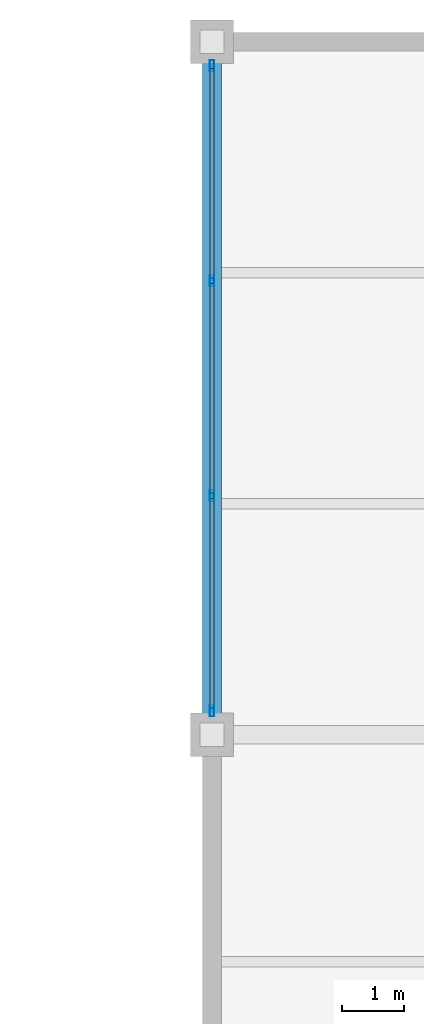
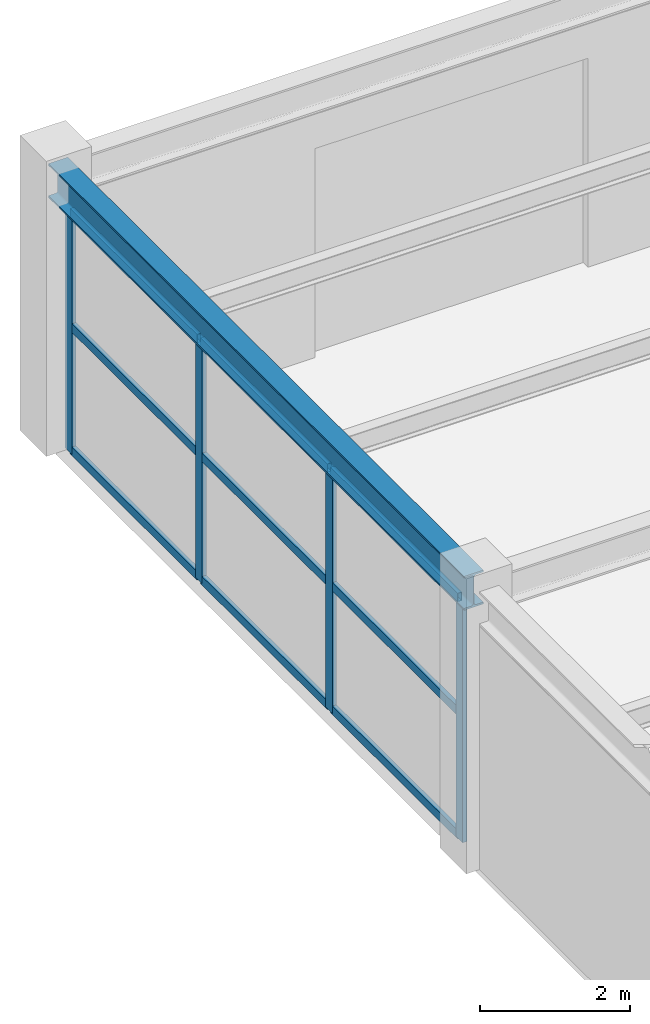
# One storey, part 53 of 108: 13 members, 1 beam, 1 element without a shape of its own.
"""IFC4 building model written with IfcOpenShell, lengths in metres."""

import ifcopenshell
import ifcopenshell.guid

model = None  # the IFC model being written
_history = None  # IfcOwnerHistory: only IFC2X3 demands one
_inside = {}  # id of a spatial element -> (the spatial element, [elements in it])
_under = {}  # id of a project, library or spatial element -> (it, [spatial elements below it])
_declared = {}  # id of a project -> (the project, [libraries it declares])
_typed = {}  # id of a type object -> (the type object, [elements of that type])
_made_of = {}  # id of a material, layer set ... -> (it, [elements and type objects made of it])


def new_model(schema):
    """Start an empty IFC model of exactly this schema.

    Asked for "IFC4X3", IfcOpenShell would pick the latest addendum, in which some entities
    have other attributes; the version numbers below select the first issue.
    IFC2X3 requires an IfcOwnerHistory on every rooted entity: one is made here for all.
    """
    global model, _history
    if schema == "IFC4X3":
        model = ifcopenshell.file(schema_version=(4, 3, 0, 0))
    else:
        model = ifcopenshell.file(schema=schema)
    _inside.clear()
    _under.clear()
    _declared.clear()
    _typed.clear()
    _made_of.clear()
    _history = None
    if model.schema == "IFC2X3":
        org = make("IfcOrganization", Name="unknown")
        user = make(
            "IfcPersonAndOrganization",
            ThePerson=make("IfcPerson", FamilyName="unknown"),
            TheOrganization=org,
        )
        app = make(
            "IfcApplication",
            ApplicationDeveloper=org,
            Version="unknown",
            ApplicationFullName="unknown",
            ApplicationIdentifier="unknown",
        )
        _history = make(
            "IfcOwnerHistory",
            OwningUser=user,
            OwningApplication=app,
            ChangeAction="ADDED",
            CreationDate=0,
        )
    return model


def make(cls, **values):
    """One entity of the class cls with the attributes given. An attribute that is None is left unset."""
    return model.create_entity(
        cls, **{name: value for name, value in values.items() if value is not None}
    )


def rooted(cls, **values):
    """An entity with a GlobalId (a new one), such as an element, a storey or a relation."""
    return make(cls, GlobalId=ifcopenshell.guid.new(), OwnerHistory=_history, **values)


def si_unit(unit_type, name, prefix=None):
    """IfcSIUnit, for example si_unit("LENGTHUNIT", "METRE", prefix="MILLI")."""
    return make("IfcSIUnit", UnitType=unit_type, Prefix=prefix, Name=name)


def assignment(units):
    """IfcUnitAssignment: the units of a project."""
    return None if units is None else make("IfcUnitAssignment", Units=units)


def point(xyz):
    """IfcCartesianPoint."""
    return None if xyz is None else make("IfcCartesianPoint", Coordinates=xyz)


def direction(xyz):
    """IfcDirection."""
    return None if xyz is None else make("IfcDirection", DirectionRatios=xyz)


def frame(location, z_axis=None, x_axis=None):
    """IfcAxis2Placement3D, a coordinate frame: its origin and axes. An axis left out is left unset."""
    return make(
        "IfcAxis2Placement3D",
        Location=point(location),
        Axis=direction(z_axis),
        RefDirection=direction(x_axis),
    )


def frame_2d(location, x_axis=None):
    """IfcAxis2Placement2D, a coordinate frame in the plane: its origin and x axis."""
    return make(
        "IfcAxis2Placement2D", Location=point(location), RefDirection=direction(x_axis)
    )


def origin():
    """The frame at (0, 0, 0) with its axes left unset."""
    return frame((0.0, 0.0, 0.0))


def origin_2d():
    """The frame at (0, 0) in the plane with its x axis left unset."""
    return frame_2d((0.0, 0.0))


def place(relative_to, where):
    """IfcLocalPlacement: puts the frame where relative to a parent placement (None: the world)."""
    return make(
        "IfcLocalPlacement", PlacementRelTo=relative_to, RelativePlacement=where
    )


def context(
    kind, dimensions, precision=None, world=None, true_north=None, identifier=None
):
    """IfcGeometricRepresentationContext, for example the 3D "Model" context."""
    return make(
        "IfcGeometricRepresentationContext",
        ContextIdentifier=identifier,
        ContextType=kind,
        CoordinateSpaceDimension=dimensions,
        Precision=precision,
        WorldCoordinateSystem=world,
        TrueNorth=true_north,
    )


def subcontext(parent, identifier, kind, view, scale=None):
    """IfcGeometricRepresentationSubContext, for example "Body" below "Model"."""
    return make(
        "IfcGeometricRepresentationSubContext",
        ContextIdentifier=identifier,
        ContextType=kind,
        ParentContext=parent,
        TargetScale=scale,
        TargetView=view,
    )


def project(units=None, contexts=None):
    """IfcProject with its units and contexts."""
    return rooted(
        "IfcProject",
        Name="project",
        RepresentationContexts=contexts,
        UnitsInContext=assignment(units),
    )


def spatial(cls, under=None, at=None, **own):
    """A site, building, storey or space (cls), placed at a placement, below another one or the project."""
    s = rooted(cls, ObjectPlacement=at, **own)
    if under is not None:
        _under.setdefault(under.id(), (under, []))[1].append(s)
    return s


def profile(cls, at=None, kind="AREA", **sizes):
    """A parametric profile (cls). Its sizes go by their IFC names, for example OverallWidth=200.0."""
    return make(cls, ProfileType=kind, Position=at, **sizes)


def hollow_rectangle(**sizes):
    """IfcRectangleHollowProfileDef."""
    return profile("IfcRectangleHollowProfileDef", **sizes)


def i_section(**sizes):
    """IfcIShapeProfileDef."""
    return profile("IfcIShapeProfileDef", **sizes)


def extrude(swept, where, along, depth):
    """IfcExtrudedAreaSolid: the profile swept, set in the frame where, extruded along a direction by depth."""
    return make(
        "IfcExtrudedAreaSolid",
        SweptArea=swept,
        Position=where,
        ExtrudedDirection=direction(along),
        Depth=depth,
    )


def shape(context_of_items, identifier, shape_type, items):
    """IfcShapeRepresentation: the items that make up one representation, for example the "Body"."""
    return make(
        "IfcShapeRepresentation",
        ContextOfItems=context_of_items,
        RepresentationIdentifier=identifier,
        RepresentationType=shape_type,
        Items=items,
    )


def material(Name=None, Category=None):
    """IfcMaterial."""
    return make("IfcMaterial", Name=Name, Category=Category)


def material_profile(
    of_material, cross_section, Name=None, Category=None, Priority=None
):
    """IfcMaterialProfile: a cross section and its material."""
    return make(
        "IfcMaterialProfile",
        Name=Name,
        Material=of_material,
        Profile=cross_section,
        Priority=Priority,
        Category=Category,
    )


def profile_set(profiles, Name=None, composite=None):
    """IfcMaterialProfileSet."""
    return make(
        "IfcMaterialProfileSet",
        Name=Name,
        MaterialProfiles=profiles,
        CompositeProfile=composite,
    )


def made_of(thing, what):
    """Note that an element or type object is made of a material, layer set ...; save() writes the relation."""
    if what is not None:
        _made_of.setdefault(what.id(), (what, []))[1].append(thing)
    return thing


def type_object(cls, material=None, **own):
    """A type object (cls), such as IfcWallType, which elements share."""
    return made_of(rooted(cls, **own), material)


def element(
    cls,
    number,
    at=None,
    inside=None,
    cuts=None,
    type_object=None,
    material=None,
    context=None,
    identifier="Body",
    shape_type=None,
    held_by="IfcProductDefinitionShape",
    body=None,
    shapes=None,
    **own,
):
    """One element of the class cls, such as IfcWall. Its Tag is "e" and its number.

    at: its placement. inside: the storey or other place that contains it. cuts: it is an
    opening in that element (IfcRelVoidsElement). A single representation is given by context,
    identifier, shape_type and body (its items); several are given by shapes. held_by: the class
    of the entity that holds the representations. save() writes the other relations.
    """
    e = rooted(cls, Tag="e%d" % number, ObjectPlacement=at, **own)
    if body is not None:
        shapes = [shape(context, identifier, shape_type, body)]
    if shapes is not None:
        e.Representation = make(held_by, Representations=shapes)
    if inside is not None:
        _inside.setdefault(inside.id(), (inside, []))[1].append(e)
    if cuts is not None:
        rooted(
            "IfcRelVoidsElement", RelatingBuildingElement=cuts, RelatedOpeningElement=e
        )
    if type_object is not None:
        _typed.setdefault(type_object.id(), (type_object, []))[1].append(e)
    return made_of(e, material)


def aggregate(whole, parts):
    """IfcRelAggregates: a whole, such as a stair, and the parts it consists of."""
    return rooted("IfcRelAggregates", RelatingObject=whole, RelatedObjects=parts)


def save(model, path):
    """Write the relations noted so far, then the file.

    IfcRelAggregates (storeys below a building ...), IfcRelContainedInSpatialStructure (elements
    in a storey), IfcRelDefinesByType, IfcRelAssociatesMaterial and IfcRelDeclares: one each for
    every whole, place, type object, material and project.
    """
    for whole, parts in _under.values():
        aggregate(whole, parts)
    for where, things in _inside.values():
        rooted(
            "IfcRelContainedInSpatialStructure",
            RelatedElements=things,
            RelatingStructure=where,
        )
    for kind, things in _typed.values():
        rooted("IfcRelDefinesByType", RelatedObjects=things, RelatingType=kind)
    for what, things in _made_of.values():
        rooted("IfcRelAssociatesMaterial", RelatedObjects=things, RelatingMaterial=what)
    for by, libraries in _declared.values():
        rooted("IfcRelDeclares", RelatingContext=by, RelatedDefinitions=libraries)
    model.write(path)


model = new_model("IFC4")

# Units and contexts
model_context = context("Model", 3, precision=1e-05, world=origin(), true_north=direction((0.0, 1.0)))
body_context = subcontext(model_context, "Body", "Model", "MODEL_VIEW")
ifc_project = project(units=[si_unit("LENGTHUNIT", "METRE"), si_unit("AREAUNIT", "SQUARE_METRE"), si_unit("VOLUMEUNIT", "CUBIC_METRE"), si_unit("PLANEANGLEUNIT", "RADIAN"), si_unit("MASSUNIT", "GRAM", prefix="KILO")], contexts=[model_context])

# Site, building, storey
site_placement = place(None, origin())
site = spatial("IfcSite", under=ifc_project, at=site_placement, CompositionType="ELEMENT")
building_placement = place(site_placement, origin())
building = spatial("IfcBuilding", under=site, at=building_placement, Name="Tarnveldt Headland Concert Hall", CompositionType="ELEMENT")
storey_placement = place(building_placement, origin())
storey = spatial("IfcBuildingStorey", under=building, at=storey_placement, Name="L00", CompositionType="ELEMENT", Elevation=0.0)

# Curtain wall, members
ifc_material_1 = material(Name="Marine-anodised aluminium EN AW-6063-T6", Category="aluminium")
curtain_wall_type = type_object("IfcCurtainWallType", Name="CW-R1", PredefinedType="NOTDEFINED", material=ifc_material_1)
curtain_wall_placement = place(storey_placement, origin())
curtain_wall = element("IfcCurtainWall", 1, at=curtain_wall_placement, inside=storey, type_object=curtain_wall_type, Name="Curtain wall CW-L00-177", PredefinedType="NOTDEFINED")
ifc_material_profile_1 = material_profile(ifc_material_1, hollow_rectangle(XDim=0.06494140625, YDim=0.179931640625, WallThickness=0.00390625, at=origin_2d()), Name="ALU MULLION 65x180x4", Category="aluminium")
ifc_profile_set_1 = profile_set([ifc_material_profile_1], Name="Marine-anodised aluminium EN AW-6063-T6")
member_type_1 = type_object("IfcMemberType", Name="ML-180", PredefinedType="MULLION", material=ifc_profile_set_1)
member_1_placement = place(storey_placement, frame((19.5, 114.81005859375, 0.0), z_axis=(0.0, 0.0, 1.0), x_axis=(1.0, 0.0, 0.0)))
member_1 = element("IfcMember", 2, at=member_1_placement, type_object=member_type_1, Name="Mullion CW-L00-177-1", PredefinedType="MULLION", context=body_context, shape_type="SweptSolid", body=[
    extrude(hollow_rectangle(XDim=0.06494140625, YDim=0.179931640625, WallThickness=0.00390625, at=origin_2d()), origin(), (0.0, 0.0, 1.0), 3.9580078125),
])
member_2_placement = place(storey_placement, frame((19.5, 111.336669921875, 0.0), z_axis=(0.0, 0.0, 1.0), x_axis=(1.0, 0.0, 0.0)))
member_2 = element("IfcMember", 3, at=member_2_placement, type_object=member_type_1, Name="Mullion CW-L00-177-2", PredefinedType="MULLION", context=body_context, shape_type="SweptSolid", body=[
    extrude(hollow_rectangle(XDim=0.06494140625, YDim=0.179931640625, WallThickness=0.00390625, at=origin_2d()), origin(), (0.0, 0.0, 1.0), 3.9580078125),
])
member_3_placement = place(storey_placement, frame((19.5, 107.86328125, 0.0), z_axis=(0.0, 0.0, 1.0), x_axis=(1.0, 0.0, 0.0)))
member_3 = element("IfcMember", 4, at=member_3_placement, type_object=member_type_1, Name="Mullion CW-L00-177-3", PredefinedType="MULLION", context=body_context, shape_type="SweptSolid", body=[
    extrude(hollow_rectangle(XDim=0.06494140625, YDim=0.179931640625, WallThickness=0.00390625, at=origin_2d()), origin(), (0.0, 0.0, 1.0), 3.9580078125),
])
member_4_placement = place(storey_placement, frame((19.5, 104.389892578125, 0.0), z_axis=(0.0, 0.0, 1.0), x_axis=(1.0, 0.0, 0.0)))
member_4 = element("IfcMember", 5, at=member_4_placement, type_object=member_type_1, Name="Mullion CW-L00-177-4", PredefinedType="MULLION", context=body_context, shape_type="SweptSolid", body=[
    extrude(hollow_rectangle(XDim=0.06494140625, YDim=0.179931640625, WallThickness=0.00390625, at=origin_2d()), origin(), (0.0, 0.0, 1.0), 3.9580078125),
])

# Beam
ifc_material_2 = material(Name="Steel S355", Category="steel")
ifc_material_profile_2 = material_profile(ifc_material_2, i_section(OverallWidth=0.300048828125, OverallDepth=0.550048828125, WebThickness=0.014892578125, FlangeThickness=0.029052734375, FilletRadius=0.027099609375, at=origin_2d()), Name="HEB550", Category="steel")
ifc_profile_set_2 = profile_set([ifc_material_profile_2], Name="Steel S355")
beam_type = type_object("IfcBeamType", Name="SB-HEB550", PredefinedType="BEAM", material=ifc_profile_set_2)
beam_placement = place(storey_placement, frame((19.5, 104.06005859375, 4.2451171875), z_axis=(0.0, 1.0, 0.0), x_axis=(-1.0, 0.0, 0.0)))
element("IfcBeam", 6, at=beam_placement, inside=storey, type_object=beam_type, Name="Framing beam L00-644", PredefinedType="BEAM", context=body_context, shape_type="SweptSolid", body=[
    extrude(i_section(OverallWidth=0.300048828125, OverallDepth=0.550048828125, WebThickness=0.014892578125, FlangeThickness=0.029052734375, FilletRadius=0.027099609375, at=origin_2d()), origin(), (0.0, 0.0, 1.0), 11.079833984375),
])

# Member
ifc_material_profile_3 = material_profile(ifc_material_1, hollow_rectangle(XDim=0.06494140625, YDim=0.139892578125, WallThickness=0.00390625, at=origin_2d()), Name="ALU TRANSOM 65x140x4", Category="aluminium")
ifc_profile_set_3 = profile_set([ifc_material_profile_3], Name="Marine-anodised aluminium EN AW-6063-T6")
member_type_2 = type_object("IfcMemberType", Name="TR-140", PredefinedType="MEMBER", material=ifc_profile_set_3)
member_5_placement = place(storey_placement, frame((19.5, 114.765380859375, 0.050048828125), z_axis=(0.0, -1.0, 0.0), x_axis=(1.0, 0.0, 0.0)))
member_5 = element("IfcMember", 7, at=member_5_placement, type_object=member_type_2, Name="Transom CW-L00-177-1-1", PredefinedType="MEMBER", context=body_context, shape_type="SweptSolid", body=[
    extrude(hollow_rectangle(XDim=0.06494140625, YDim=0.139892578125, WallThickness=0.00390625, at=origin_2d()), origin(), (0.0, 0.0, 1.0), 3.38427734375),
])

member_6_placement = place(storey_placement, frame((19.5, 114.765380859375, 2.05810546875), z_axis=(0.0, -1.0, 0.0), x_axis=(1.0, 0.0, 0.0)))
member_6 = element("IfcMember", 8, at=member_6_placement, type_object=member_type_2, Name="Transom CW-L00-177-1-2", PredefinedType="MEMBER", context=body_context, shape_type="SweptSolid", body=[
    extrude(hollow_rectangle(XDim=0.06494140625, YDim=0.139892578125, WallThickness=0.00390625, at=origin_2d()), origin(), (0.0, 0.0, 1.0), 3.38427734375),
])

member_7_placement = place(storey_placement, frame((19.5, 114.765380859375, 3.907958984375), z_axis=(0.0, -1.0, 0.0), x_axis=(1.0, 0.0, 0.0)))
member_7 = element("IfcMember", 9, at=member_7_placement, type_object=member_type_2, Name="Transom CW-L00-177-1-3", PredefinedType="MEMBER", context=body_context, shape_type="SweptSolid", body=[
    extrude(hollow_rectangle(XDim=0.06494140625, YDim=0.139892578125, WallThickness=0.00390625, at=origin_2d()), origin(), (0.0, 0.0, 1.0), 3.38427734375),
])

member_8_placement = place(storey_placement, frame((19.5, 111.292236328125, 0.050048828125), z_axis=(0.0, -1.0, 0.0), x_axis=(1.0, 0.0, 0.0)))
member_8 = element("IfcMember", 10, at=member_8_placement, type_object=member_type_2, Name="Transom CW-L00-177-2-1", PredefinedType="MEMBER", context=body_context, shape_type="SweptSolid", body=[
    extrude(hollow_rectangle(XDim=0.06494140625, YDim=0.139892578125, WallThickness=0.00390625, at=origin_2d()), origin(), (0.0, 0.0, 1.0), 3.384521484375),
])

member_9_placement = place(storey_placement, frame((19.5, 111.292236328125, 2.05810546875), z_axis=(0.0, -1.0, 0.0), x_axis=(1.0, 0.0, 0.0)))
member_9 = element("IfcMember", 11, at=member_9_placement, type_object=member_type_2, Name="Transom CW-L00-177-2-2", PredefinedType="MEMBER", context=body_context, shape_type="SweptSolid", body=[
    extrude(hollow_rectangle(XDim=0.06494140625, YDim=0.139892578125, WallThickness=0.00390625, at=origin_2d()), origin(), (0.0, 0.0, 1.0), 3.384521484375),
])

member_10_placement = place(storey_placement, frame((19.5, 111.292236328125, 3.907958984375), z_axis=(0.0, -1.0, 0.0), x_axis=(1.0, 0.0, 0.0)))
member_10 = element("IfcMember", 12, at=member_10_placement, type_object=member_type_2, Name="Transom CW-L00-177-2-3", PredefinedType="MEMBER", context=body_context, shape_type="SweptSolid", body=[
    extrude(hollow_rectangle(XDim=0.06494140625, YDim=0.139892578125, WallThickness=0.00390625, at=origin_2d()), origin(), (0.0, 0.0, 1.0), 3.384521484375),
])

member_11_placement = place(storey_placement, frame((19.5, 107.81884765625, 0.050048828125), z_axis=(0.0, -1.0, 0.0), x_axis=(1.0, 0.0, 0.0)))
member_11 = element("IfcMember", 13, at=member_11_placement, type_object=member_type_2, Name="Transom CW-L00-177-3-1", PredefinedType="MEMBER", context=body_context, shape_type="SweptSolid", body=[
    extrude(hollow_rectangle(XDim=0.06494140625, YDim=0.139892578125, WallThickness=0.00390625, at=origin_2d()), origin(), (0.0, 0.0, 1.0), 3.38427734375),
])

member_12_placement = place(storey_placement, frame((19.5, 107.81884765625, 2.05810546875), z_axis=(0.0, -1.0, 0.0), x_axis=(1.0, 0.0, 0.0)))
member_12 = element("IfcMember", 14, at=member_12_placement, type_object=member_type_2, Name="Transom CW-L00-177-3-2", PredefinedType="MEMBER", context=body_context, shape_type="SweptSolid", body=[
    extrude(hollow_rectangle(XDim=0.06494140625, YDim=0.139892578125, WallThickness=0.00390625, at=origin_2d()), origin(), (0.0, 0.0, 1.0), 3.38427734375),
])

member_13_placement = place(storey_placement, frame((19.5, 107.81884765625, 3.907958984375), z_axis=(0.0, -1.0, 0.0), x_axis=(1.0, 0.0, 0.0)))
member_13 = element("IfcMember", 15, at=member_13_placement, type_object=member_type_2, Name="Transom CW-L00-177-3-3", PredefinedType="MEMBER", context=body_context, shape_type="SweptSolid", body=[
    extrude(hollow_rectangle(XDim=0.06494140625, YDim=0.139892578125, WallThickness=0.00390625, at=origin_2d()), origin(), (0.0, 0.0, 1.0), 3.38427734375),
])

aggregate(curtain_wall, [member_1, member_2, member_3, member_4, member_5, member_6, member_7, member_8, member_9, member_10, member_11, member_12, member_13])

save(model, "model.ifc")
